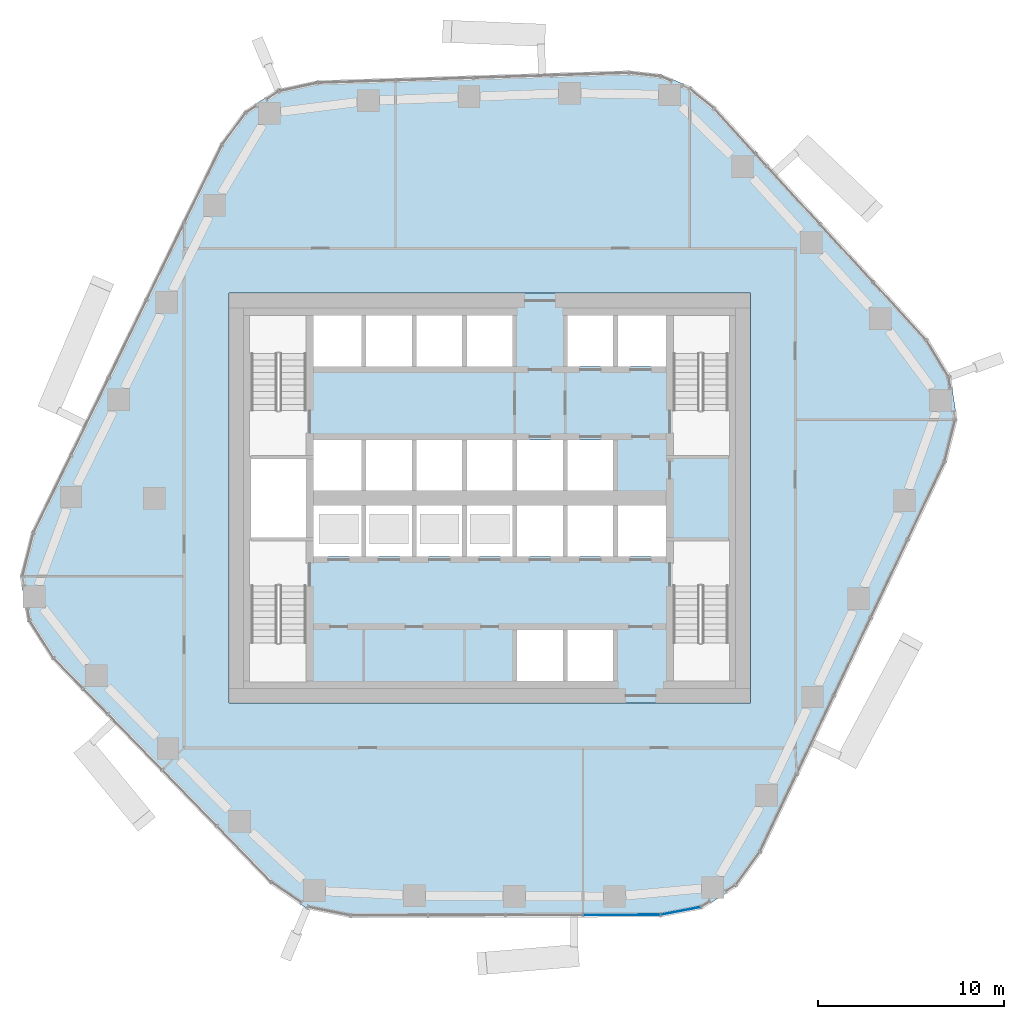
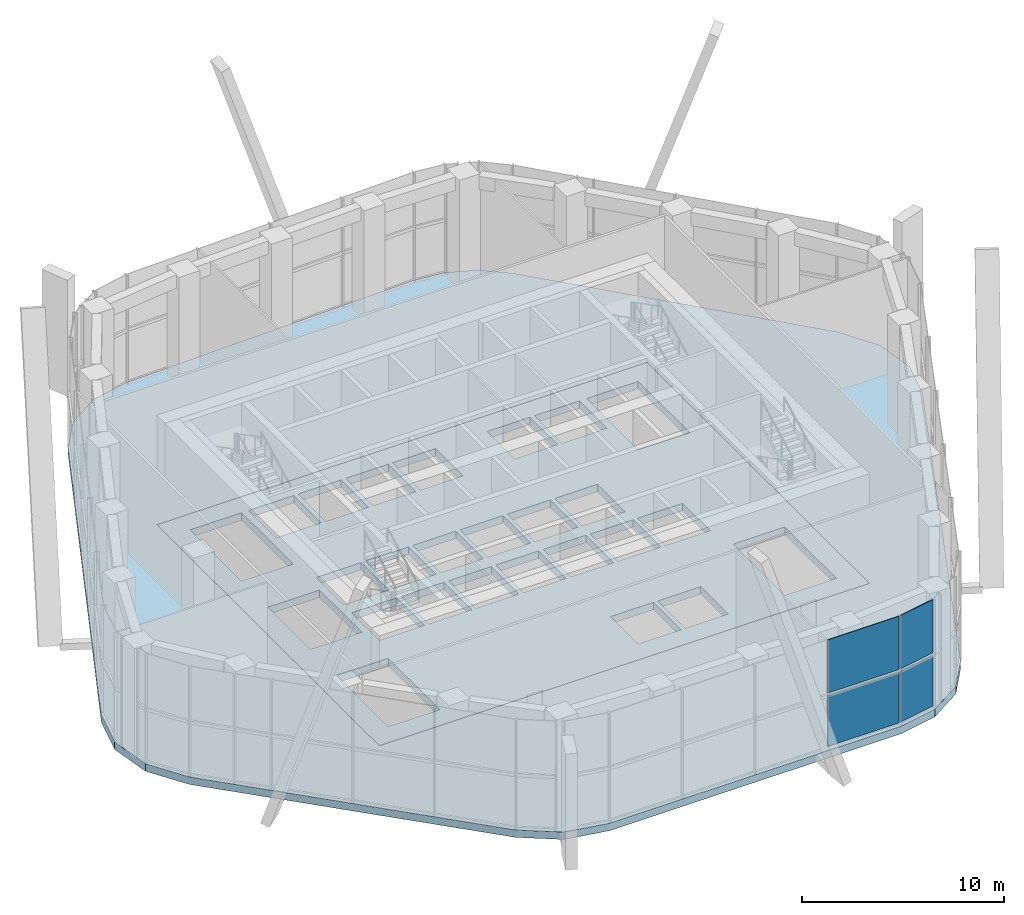
# One storey, part 8 of 20: 4 plates, 2 slabs, 2 elements without a shape of their own.
"""IFC4 building model written with IfcOpenShell, lengths in metres."""

from ifc_helpers import new_model, si_unit, direction, frame, origin, origin_2d, place, context, subcontext, project, spatial, polyline, rectangle, outline, extrude, material, layer, layer_set, type_object, element, aggregate, save


model = new_model("IFC4")

# Units and contexts
model_context = context("Model", 3, precision=1e-05, world=origin(), true_north=direction((0.0, 1.0)))
body_context = subcontext(model_context, "Body", "Model", "MODEL_VIEW")
ifc_project = project(units=[si_unit("LENGTHUNIT", "METRE"), si_unit("AREAUNIT", "SQUARE_METRE"), si_unit("VOLUMEUNIT", "CUBIC_METRE"), si_unit("PLANEANGLEUNIT", "RADIAN"), si_unit("MASSUNIT", "GRAM", prefix="KILO")], contexts=[model_context])

# Site, building, storey
site_placement = place(None, origin())
site = spatial("IfcSite", under=ifc_project, at=site_placement, CompositionType="ELEMENT")
building_placement = place(site_placement, origin())
building = spatial("IfcBuilding", under=site, at=building_placement, Name="Dongbaek Canopy Tower", CompositionType="ELEMENT")
storey_placement = place(building_placement, frame((0.0, 0.0, 151.60009765625)))
storey = spatial("IfcBuildingStorey", under=building, at=storey_placement, Name="L33", CompositionType="ELEMENT", Elevation=151.60009765625)

# Curtain wall, plates
ifc_material_1 = material(Name="Aluminium 6063-T6 pale anodised", Category="aluminium")
ifc_layer_1 = layer(ifc_material_1, 0.25)
ifc_layer_set_1 = layer_set([ifc_layer_1], Name="CW-4 sky-lobby curtain wall")
curtain_wall_type = type_object("IfcCurtainWallType", Name="CW-4 sky-lobby curtain wall", PredefinedType="NOTDEFINED", material=ifc_layer_set_1)
curtain_wall_1_placement = place(storey_placement, origin())
curtain_wall_1 = element("IfcCurtainWall", 1, at=curtain_wall_1_placement, inside=storey, type_object=curtain_wall_type, Name="CW-4 curtain wall F4.1", PredefinedType="NOTDEFINED")
ifc_material_2 = material(Name="Clear laminated glass", Category="glass")
ifc_layer_2 = layer(ifc_material_2, 0.035888671875)
ifc_layer_set_2 = layer_set([ifc_layer_2], Name="CW-4 glazed panel 36")
plate_type = type_object("IfcPlateType", Name="CW-4 glazed panel 36", PredefinedType="CURTAIN_PANEL", material=ifc_layer_set_2)
plate_1_placement = place(storey_placement, frame((7.084228515625, -22.355712890625, 0.179931640625), z_axis=(0.0, 0.0, 1.0), x_axis=(0.999997657755, 0.002164366891, 0.0)))
plate_1 = element("IfcPlate", 2, at=plate_1_placement, type_object=plate_type, Name="CW-4 panel F4.1.4.1", PredefinedType="CURTAIN_PANEL", context=body_context, shape_type="SweptSolid", body=[
    extrude(rectangle(XDim=4.056884765625, YDim=0.035888671875, at=origin_2d()), origin(), (0.0, 0.0, 1.0), 3.0400390625),
])
plate_2_placement = place(storey_placement, frame((7.084228515625, -22.355712890625, 3.39990234375), z_axis=(0.0, 0.0, 1.0), x_axis=(0.999997657755, 0.002164366891, 0.0)))
plate_2 = element("IfcPlate", 3, at=plate_2_placement, type_object=plate_type, Name="CW-4 panel F4.1.4.2", PredefinedType="CURTAIN_PANEL", context=body_context, shape_type="SweptSolid", body=[
    extrude(rectangle(XDim=4.056884765625, YDim=0.035888671875, at=origin_2d()), origin(), (0.0, 0.0, 1.0), 3.219970703125),
])
aggregate(curtain_wall_1, [plate_1, plate_2])

curtain_wall_2_placement = place(storey_placement, origin())
curtain_wall_2 = element("IfcCurtainWall", 4, at=curtain_wall_2_placement, inside=storey, type_object=curtain_wall_type, Name="CW-4 curtain wall K5.1a", PredefinedType="NOTDEFINED")
plate_3_placement = place(storey_placement, frame((10.2451171875, -22.142578125, 0.179931640625), z_axis=(0.0, 0.0, 1.0), x_axis=(0.982024890734, 0.188751460866, 0.0)))
plate_3 = element("IfcPlate", 5, at=plate_3_placement, type_object=plate_type, Name="CW-4 panel K5.1a.1.1", PredefinedType="CURTAIN_PANEL", context=body_context, shape_type="SweptSolid", body=[
    extrude(rectangle(XDim=2.1171875, YDim=0.035888671875, at=origin_2d()), origin(), (0.0, 0.0, 1.0), 3.0400390625),
])
plate_4_placement = place(storey_placement, frame((10.2451171875, -22.142578125, 3.39990234375), z_axis=(0.0, 0.0, 1.0), x_axis=(0.982024890734, 0.188751460866, 0.0)))
plate_4 = element("IfcPlate", 6, at=plate_4_placement, type_object=plate_type, Name="CW-4 panel K5.1a.1.2", PredefinedType="CURTAIN_PANEL", context=body_context, shape_type="SweptSolid", body=[
    extrude(rectangle(XDim=2.1171875, YDim=0.035888671875, at=origin_2d()), origin(), (0.0, 0.0, 1.0), 3.219970703125),
])
aggregate(curtain_wall_2, [plate_3, plate_4])

# Slabs
ifc_material_3 = material(Name="Concrete C40/50", Category="concrete")
ifc_layer_3 = layer(ifc_material_3, 0.449951171875)
ifc_layer_set_3 = layer_set([ifc_layer_3], Name="Core floor slab 450 Concrete C40/50")
slab_type_1 = type_object("IfcSlabType", Name="Core floor slab 450 Concrete C40/50", PredefinedType="FLOOR", material=ifc_layer_set_3)
slab_1_placement = place(storey_placement, frame((0.0, 0.0, -0.4501953125)))
element("IfcSlab", 7, at=slab_1_placement, inside=storey, type_object=slab_type_1, Name="Core floor slab L33", PredefinedType="FLOOR", context=body_context, shape_type="SweptSolid", body=[
    extrude(outline(polyline([(14.0, -11.0), (14.0, 11.0), (-14.0, 11.0), (-14.0, -11.0), (14.0, -11.0)]), holes=[polyline([(-12.800048828125, 2.10009765625), (-9.85009765625, 2.10009765625), (-9.85009765625, -2.10009765625), (-12.800048828125, -2.10009765625), (-12.800048828125, 2.10009765625)]), polyline([(-6.875, 9.800048828125), (-6.875, 7.074951171875), (-9.449951171875, 7.074951171875), (-9.449951171875, 9.800048828125), (-6.875, 9.800048828125)]), polyline([(-4.175048828125, 9.800048828125), (-4.175048828125, 7.074951171875), (-6.625, 7.074951171875), (-6.625, 9.800048828125), (-4.175048828125, 9.800048828125)]), polyline([(-1.47509765625, 9.800048828125), (-1.47509765625, 7.074951171875), (-3.925048828125, 7.074951171875), (-3.925048828125, 9.800048828125), (-1.47509765625, 9.800048828125)]), polyline([(1.22509765625, 9.800048828125), (1.22509765625, 7.074951171875), (-1.22509765625, 7.074951171875), (-1.22509765625, 9.800048828125), (1.22509765625, 9.800048828125)]), polyline([(6.625, 9.800048828125), (6.625, 7.074951171875), (4.175048828125, 7.074951171875), (4.175048828125, 9.800048828125), (6.625, 9.800048828125)]), polyline([(9.449951171875, 7.074951171875), (6.875, 7.074951171875), (6.875, 9.800048828125), (9.449951171875, 9.800048828125), (9.449951171875, 7.074951171875)]), polyline([(-9.449951171875, 3.125), (-6.875, 3.125), (-6.875, 0.39990234375), (-9.449951171875, 0.39990234375), (-9.449951171875, 3.125)]), polyline([(-6.625, 3.125), (-4.175048828125, 3.125), (-4.175048828125, 0.39990234375), (-6.625, 0.39990234375), (-6.625, 3.125)]), polyline([(-3.925048828125, 3.125), (-1.47509765625, 3.125), (-1.47509765625, 0.39990234375), (-3.925048828125, 0.39990234375), (-3.925048828125, 3.125)]), polyline([(1.22509765625, 3.125), (1.22509765625, 0.39990234375), (-1.22509765625, 0.39990234375), (-1.22509765625, 3.125), (1.22509765625, 3.125)]), polyline([(1.47509765625, 3.125), (3.925048828125, 3.125), (3.925048828125, 0.39990234375), (1.47509765625, 0.39990234375), (1.47509765625, 3.125)]), polyline([(4.175048828125, 3.125), (6.625, 3.125), (6.625, 0.39990234375), (4.175048828125, 0.39990234375), (4.175048828125, 3.125)]), polyline([(-9.449951171875, -0.39990234375), (-6.875, -0.39990234375), (-6.875, -3.125), (-9.449951171875, -3.125), (-9.449951171875, -0.39990234375)]), polyline([(-6.625, -0.39990234375), (-4.175048828125, -0.39990234375), (-4.175048828125, -3.125), (-6.625, -3.125), (-6.625, -0.39990234375)]), polyline([(-3.925048828125, -0.39990234375), (-1.47509765625, -0.39990234375), (-1.47509765625, -3.125), (-3.925048828125, -3.125), (-3.925048828125, -0.39990234375)]), polyline([(-1.22509765625, -0.39990234375), (1.22509765625, -0.39990234375), (1.22509765625, -3.125), (-1.22509765625, -3.125), (-1.22509765625, -0.39990234375)]), polyline([(1.47509765625, -0.39990234375), (3.925048828125, -0.39990234375), (3.925048828125, -3.125), (1.47509765625, -3.125), (1.47509765625, -0.39990234375)]), polyline([(4.175048828125, -0.39990234375), (6.625, -0.39990234375), (6.625, -3.125), (4.175048828125, -3.125), (4.175048828125, -0.39990234375)]), polyline([(9.449951171875, -3.125), (6.875, -3.125), (6.875, -0.39990234375), (9.449951171875, -0.39990234375), (9.449951171875, -3.125)]), polyline([(1.47509765625, -9.800048828125), (1.47509765625, -7.074951171875), (3.925048828125, -7.074951171875), (3.925048828125, -9.800048828125), (1.47509765625, -9.800048828125)]), polyline([(4.175048828125, -9.800048828125), (4.175048828125, -7.074951171875), (6.625, -7.074951171875), (6.625, -9.800048828125), (4.175048828125, -9.800048828125)]), polyline([(12.800048828125, 4.70068359375), (12.800048828125, 9.800048828125), (9.85009765625, 9.800048828125), (9.85009765625, 4.70068359375), (12.800048828125, 4.70068359375)]), polyline([(-9.85009765625, 4.70068359375), (-9.85009765625, 9.800048828125), (-12.800048828125, 9.800048828125), (-12.800048828125, 4.70068359375), (-9.85009765625, 4.70068359375)]), polyline([(9.85009765625, -4.70068359375), (9.85009765625, -9.800048828125), (12.800048828125, -9.800048828125), (12.800048828125, -4.70068359375), (9.85009765625, -4.70068359375)]), polyline([(-12.800048828125, -4.70068359375), (-12.800048828125, -9.800048828125), (-9.85009765625, -9.800048828125), (-9.85009765625, -4.70068359375), (-12.800048828125, -4.70068359375)])]), origin(), (0.0, 0.0, 1.0), 0.4501953125),
])
ifc_material_4 = material(Name="Concrete C40", Category="concrete")
ifc_layer_4 = layer(ifc_material_4, 0.449951171875)
ifc_layer_set_4 = layer_set([ifc_layer_4], Name="RC FLAT PLATE 450 Concrete C40")
slab_type_2 = type_object("IfcSlabType", Name="RC FLAT PLATE 450 Concrete C40", PredefinedType="FLOOR", material=ifc_layer_set_4)
slab_2_placement = place(storey_placement, frame((0.0, 0.0, -0.4501953125)))
element("IfcSlab", 8, at=slab_2_placement, inside=storey, type_object=slab_type_2, Name="SLAB:L33", PredefinedType="FLOOR", context=body_context, shape_type="SweptSolid", body=[
    extrude(outline(polyline([(14.578857421875, -19.019287109375), (13.259521484375, -20.828857421875), (11.368408203125, -22.028564453125), (9.169189453125, -22.451171875), (-7.471435546875, -22.4873046875), (-9.81396484375, -22.0166015625), (-11.786865234375, -20.66943359375), (-23.48486328125, -8.635009765625), (-24.791015625, -6.5849609375), (-25.176513671875, -4.18505859375), (-24.578125, -1.8291015625), (-14.4423828125, 19.013671875), (-13.162841796875, 20.7548828125), (-11.349609375, 21.929931640625), (-9.23779296875, 22.386474609375), (7.490966796875, 22.919921875), (9.19580078125, 22.72900390625), (10.776611328125, 22.063232421875), (12.104736328125, 20.9775390625), (23.498291015625, 8.54931640625), (24.71728515625, 6.53662109375), (25.068603515625, 4.209716796875), (24.498291015625, 1.9267578125), (14.578857421875, -19.019287109375)]), holes=[polyline([(14.0, 11.0), (-14.0, 11.0), (-14.0, -11.0), (14.0, -11.0), (14.0, 11.0)])]), origin(), (0.0, 0.0, 1.0), 0.4501953125),
])

save(model, "model.ifc")
